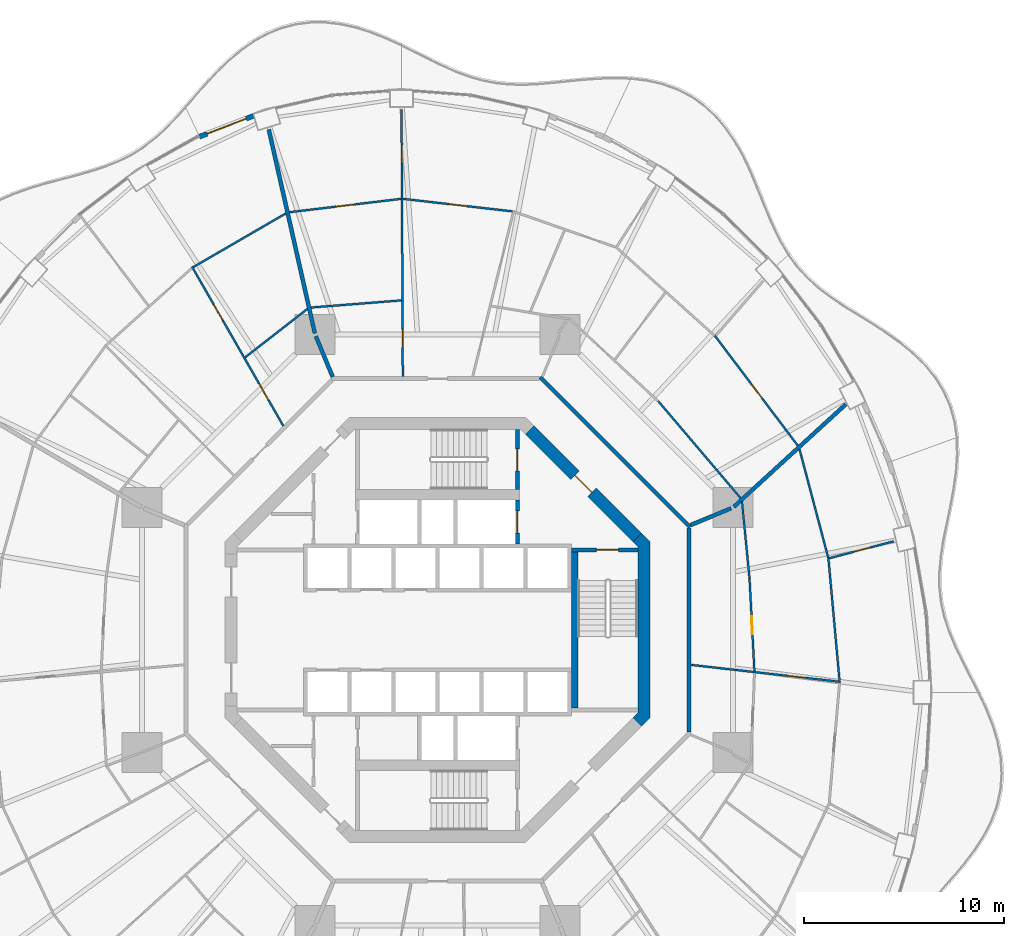
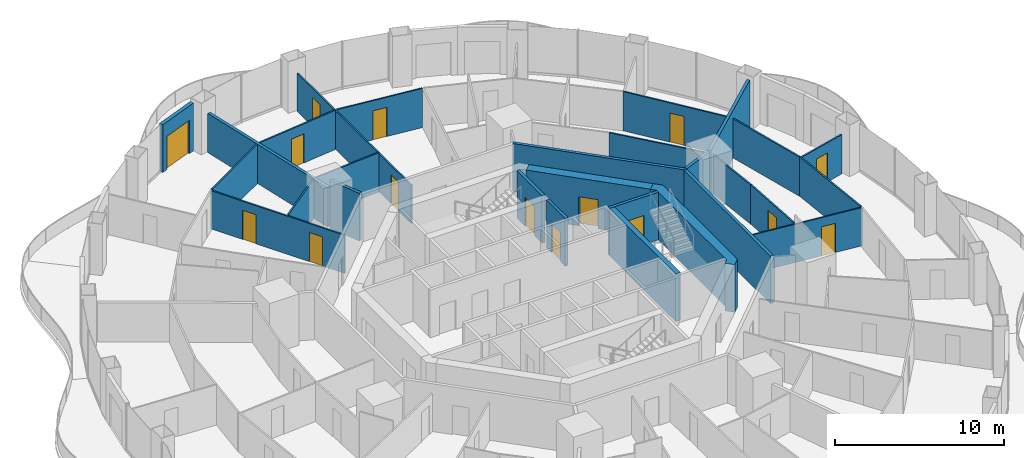
# One storey, part 16 of 20: 28 walls, 15 doors, 15 openings.
"""IFC4 building model written with IfcOpenShell, lengths in metres."""

from ifc_helpers import new_model, si_unit, direction, frame, frame_2d, origin, place, context, subcontext, project, spatial, polyline, rectangle, outline, extrude, material, layer, layer_set, type_object, element, fill, save


model = new_model("IFC4")

# Units and contexts
model_context = context("Model", 3, precision=1e-05, world=origin(), true_north=direction((0.0, 1.0)))
body_context = subcontext(model_context, "Body", "Model", "MODEL_VIEW")
ifc_project = project(units=[si_unit("LENGTHUNIT", "METRE"), si_unit("AREAUNIT", "SQUARE_METRE"), si_unit("VOLUMEUNIT", "CUBIC_METRE"), si_unit("PLANEANGLEUNIT", "RADIAN"), si_unit("MASSUNIT", "GRAM", prefix="KILO")], contexts=[model_context])

# Site, building, storey
site_placement = place(None, origin())
site = spatial("IfcSite", under=ifc_project, at=site_placement, CompositionType="ELEMENT")
building_placement = place(site_placement, origin())
building = spatial("IfcBuilding", under=site, at=building_placement, Name="Nagisa Residences", CompositionType="ELEMENT")
storey_placement = place(building_placement, frame((0.0, 0.0, 130.699951171875)))
storey = spatial("IfcBuildingStorey", under=building, at=storey_placement, Name="L32", CompositionType="ELEMENT", Elevation=130.699951171875)

# Walls
ifc_material_1 = material(Name="Gypsum board on steel studs", Category="steel")
ifc_layer_1 = layer(ifc_material_1, 0.199951171875)
ifc_layer_set_1 = layer_set([ifc_layer_1], Name="Apartment compartment wall EI60 200")
wall_type_1 = type_object("IfcWallType", Name="Apartment compartment wall EI60 200", PredefinedType="PARTITIONING", material=ifc_layer_set_1)
wall_1_placement = place(storey_placement, frame((12.6572265625, 5.24267578125, 0.0), z_axis=(0.0, 0.0, 1.0), x_axis=(0.923876145736, 0.382691608661, 0.0)))
element("IfcWall", 1, at=wall_1_placement, inside=storey, type_object=wall_type_1, Name="wall:L32:u00", PredefinedType="PARTITIONING", context=body_context, shape_type="SweptSolid", body=[
    extrude(rectangle(XDim=2.19970703125, YDim=0.199951171875, at=frame_2d((1.099853515625, 0.0))), origin(), (0.0, 0.0, 1.0), 3.43994140625),
])
wall_2_placement = place(storey_placement, frame((14.81884765625, 6.15673828125, 0.0), z_axis=(0.0, 0.0, 1.0), x_axis=(0.737608883396, 0.675228209671, 0.0)))
element("IfcWall", 2, at=wall_2_placement, inside=storey, type_object=wall_type_1, Name="wall:L32:u01", PredefinedType="PARTITIONING", context=body_context, shape_type="SweptSolid", body=[
    extrude(rectangle(XDim=7.596435546875, YDim=0.199951171875, at=frame_2d((3.79833984375, 0.0))), origin(), (0.0, 0.0, 1.0), 3.43994140625),
])
wall_3_placement = place(storey_placement, frame((-5.24267578125, 12.6572265625, 0.0), z_axis=(0.0, 0.0, 1.0), x_axis=(-0.38273085373, 0.923859888513, 0.0)))
element("IfcWall", 3, at=wall_3_placement, inside=storey, type_object=wall_type_1, Name="wall:L32:u02", PredefinedType="PARTITIONING", context=body_context, shape_type="SweptSolid", body=[
    extrude(rectangle(XDim=2.199462890625, YDim=0.199951171875, at=frame_2d((1.099609375, 0.0))), origin(), (0.0, 0.0, 1.0), 3.43994140625),
])
wall_4_placement = place(storey_placement, frame((-6.1337890625, 14.830810546875, 0.0), z_axis=(0.0, 0.0, 1.0), x_axis=(-0.220337590808, 0.975423675167, 0.0)))
element("IfcWall", 4, at=wall_4_placement, inside=storey, type_object=wall_type_1, Name="wall:L32:u03", PredefinedType="PARTITIONING", context=body_context, shape_type="SweptSolid", body=[
    extrude(rectangle(XDim=10.450927734375, YDim=0.199951171875, at=frame_2d((5.2255859375, 0.0))), origin(), (0.0, 0.0, 1.0), 2.828125),
])
ifc_material_2 = material(Name="Gypsum board on steel studs", Category="steel")
ifc_layer_2 = layer(ifc_material_2, 0.199951171875)
ifc_layer_set_2 = layer_set([ifc_layer_2], Name="Apartment entry wall EI60 200")
wall_type_2 = type_object("IfcWallType", Name="Apartment entry wall EI60 200", PredefinedType="PARTITIONING", material=ifc_layer_set_2)
wall_5_placement = place(storey_placement, frame((12.564697265625, -5.1044921875, 0.0), z_axis=(0.0, 0.0, 1.0), x_axis=(0.0, 1.0, 0.0)))
element("IfcWall", 5, at=wall_5_placement, inside=storey, type_object=wall_type_2, Name="wall:L32:u10", PredefinedType="PARTITIONING", context=body_context, shape_type="SweptSolid", body=[
    extrude(rectangle(XDim=10.208984375, YDim=0.199951171875, at=frame_2d((5.1044921875, 0.0))), origin(), (0.0, 0.0, 1.0), 3.43994140625),
])
wall_6_placement = place(storey_placement, frame((12.635498046875, 5.1337890625, 0.0), z_axis=(0.0, 0.0, 1.0), x_axis=(-0.707106781187, 0.707106781187, 0.0)))
element("IfcWall", 6, at=wall_6_placement, inside=storey, type_object=wall_type_2, Name="wall:L32:u11", PredefinedType="PARTITIONING", context=body_context, shape_type="SweptSolid", body=[
    extrude(rectangle(XDim=10.609130859375, YDim=0.199951171875, at=frame_2d((5.3046875, 0.0))), origin(), (0.0, 0.0, 1.0), 3.43994140625),
])

# Wall, opening, door
ifc_material_3 = material(Name="Gypsum board on steel studs", Category="steel")
ifc_layer_3 = layer(ifc_material_3, 0.10009765625)
ifc_layer_set_3 = layer_set([ifc_layer_3], Name="Apartment partition 100")
wall_type_3 = type_object("IfcWallType", Name="Apartment partition 100", PredefinedType="PARTITIONING", material=ifc_layer_set_3)
wall_7_placement = place(storey_placement, frame((12.6640625, -1.74609375, 0.0), z_axis=(0.0, 0.0, 1.0), x_axis=(0.993605172276, -0.112910414164, 0.0)))
wall_7 = element("IfcWall", 7, at=wall_7_placement, inside=storey, type_object=wall_type_3, Name="wall:L32:u18", PredefinedType="PARTITIONING", context=body_context, shape_type="SweptSolid", body=[
    extrude(rectangle(XDim=7.544189453125, YDim=0.10009765625, at=frame_2d((3.77197265625, 0.0))), origin(), (0.0, 0.0, 1.0), 2.756103515625),
])
opening_1_placement = place(wall_7_placement, frame((4.900634765625, 0.0, 0.0)))
opening_1 = element("IfcOpeningElement", 8, at=opening_1_placement, cuts=wall_7, Name="Opening L32-U41", PredefinedType="OPENING", context=body_context, shape_type="SweptSolid", body=[
    extrude(rectangle(XDim=0.89990234375, YDim=2.10009765625, at=frame_2d((0.449951171875, 1.050048828125))), frame((0.0, 0.06005859375, 0.0), z_axis=(0.0, -1.0, 0.0), x_axis=(1.0, 0.0, 0.0)), (0.0, 0.0, 1.0), 0.1201171875),
])
ifc_material_4 = material(Name="Timber door set", Category="wood")
door_type_1 = type_object("IfcDoorType", Name="Apartment door 900x2100", OperationType="NOTDEFINED", PredefinedType="DOOR", material=ifc_material_4)
door_1_placement = place(opening_1_placement, origin())
door_1 = element("IfcDoor", 9, at=door_1_placement, inside=storey, type_object=door_type_1, Name="Door to kitchen, Apartment 32D", OperationType="SINGLE_SWING_LEFT", OverallHeight=2.10009765625, OverallWidth=0.89990234375, PredefinedType="DOOR", context=body_context, shape_type="SweptSolid", body=[
    extrude(rectangle(XDim=0.89990234375, YDim=2.10009765625, at=frame_2d((0.449951171875, 1.050048828125))), frame((0.0, 0.02490234375, 0.0), z_axis=(0.0, -1.0, 0.0), x_axis=(1.0, 0.0, 0.0)), (0.0, 0.0, 1.0), 0.050048828125),
])
fill(opening_1, door_1)

wall_8_placement = place(storey_placement, frame((15.84814453125, -2.058349609375, 0.0), z_axis=(0.0, 0.0, 1.0), x_axis=(-0.052509224895, 0.998620439056, 0.0)))
wall_8 = element("IfcWall", 10, at=wall_8_placement, inside=storey, type_object=wall_type_3, Name="wall:L32:u19", PredefinedType="PARTITIONING", context=body_context, shape_type="SweptSolid", body=[
    extrude(rectangle(XDim=4.6494140625, YDim=0.10009765625, at=frame_2d((2.32470703125, 0.0))), origin(), (0.0, 0.0, 1.0), 2.828125),
])
opening_2_placement = place(wall_8_placement, frame((1.849609375, 0.0, 0.0)))
opening_2 = element("IfcOpeningElement", 11, at=opening_2_placement, cuts=wall_8, Name="Opening L32-U43", PredefinedType="OPENING", context=body_context, shape_type="SweptSolid", body=[
    extrude(rectangle(XDim=0.89990234375, YDim=2.10009765625, at=frame_2d((0.449951171875, 1.050048828125))), frame((0.0, 0.06005859375, 0.0), z_axis=(0.0, -1.0, 0.0), x_axis=(1.0, 0.0, 0.0)), (0.0, 0.0, 1.0), 0.1201171875),
])
door_2_placement = place(opening_2_placement, origin())
door_2 = element("IfcDoor", 12, at=door_2_placement, inside=storey, type_object=door_type_1, Name="Door to laundry, Apartment 32D", OperationType="SINGLE_SWING_LEFT", OverallHeight=2.10009765625, OverallWidth=0.89990234375, PredefinedType="DOOR", context=body_context, shape_type="SweptSolid", body=[
    extrude(rectangle(XDim=0.89990234375, YDim=2.10009765625, at=frame_2d((0.449951171875, 1.050048828125))), frame((0.0, 0.02490234375, 0.0), z_axis=(0.0, -1.0, 0.0), x_axis=(1.0, 0.0, 0.0)), (0.0, 0.0, 1.0), 0.050048828125),
])
fill(opening_2, door_2)

# Walls
wall_9_placement = place(storey_placement, frame((20.105712890625, -2.54248046875, 0.0), z_axis=(0.0, 0.0, 1.0), x_axis=(-0.090567755363, 0.995890296011, 0.0)))
element("IfcWall", 13, at=wall_9_placement, inside=storey, type_object=wall_type_3, Name="wall:L32:u21", PredefinedType="PARTITIONING", context=body_context, shape_type="SweptSolid", body=[
    extrude(rectangle(XDim=6.189208984375, YDim=0.10009765625, at=frame_2d((3.0947265625, 0.0))), origin(), (0.0, 0.0, 1.0), 2.828125),
])
wall_10_placement = place(storey_placement, frame((15.601806640625, 2.58447265625, 0.0), z_axis=(0.0, 0.0, 1.0), x_axis=(-0.097196343206, 0.995265226393, 0.0)))
element("IfcWall", 14, at=wall_10_placement, inside=storey, type_object=wall_type_3, Name="wall:L32:u23", PredefinedType="PARTITIONING", context=body_context, shape_type="SweptSolid", body=[
    extrude(rectangle(XDim=3.855712890625, YDim=0.10009765625, at=frame_2d((1.927734375, 0.0))), origin(), (0.0, 0.0, 1.0), 2.828125),
])

# Wall, opening, door
wall_11_placement = place(storey_placement, frame((19.59814453125, 3.584228515625, 0.0), z_axis=(0.0, 0.0, 1.0), x_axis=(0.967108750962, 0.254363251695, 0.0)))
wall_11 = element("IfcWall", 15, at=wall_11_placement, inside=storey, type_object=wall_type_3, Name="wall:L32:u24", PredefinedType="PARTITIONING", context=body_context, shape_type="SweptSolid", body=[
    extrude(rectangle(XDim=3.32666015625, YDim=0.10009765625, at=frame_2d((1.663330078125, 0.0))), origin(), (0.0, 0.0, 1.0), 2.828125),
])
opening_3_placement = place(wall_11_placement, frame((1.21337890625, 0.0, 0.0)))
opening_3 = element("IfcOpeningElement", 16, at=opening_3_placement, cuts=wall_11, Name="Opening L32-U39", PredefinedType="OPENING", context=body_context, shape_type="SweptSolid", body=[
    extrude(rectangle(XDim=0.89990234375, YDim=2.10009765625, at=frame_2d((0.449951171875, 1.050048828125))), frame((0.0, 0.06005859375, 0.0), z_axis=(0.0, -1.0, 0.0), x_axis=(1.0, 0.0, 0.0)), (0.0, 0.0, 1.0), 0.1201171875),
])
door_3_placement = place(opening_3_placement, origin())
door_3 = element("IfcDoor", 17, at=door_3_placement, inside=storey, type_object=door_type_1, Name="Door to master bedroom, Apartment 32D", OperationType="SINGLE_SWING_LEFT", OverallHeight=2.10009765625, OverallWidth=0.89990234375, PredefinedType="DOOR", context=body_context, shape_type="SweptSolid", body=[
    extrude(rectangle(XDim=0.89990234375, YDim=2.10009765625, at=frame_2d((0.449951171875, 1.050048828125))), frame((0.0, 0.02490234375, 0.0), z_axis=(0.0, -1.0, 0.0), x_axis=(1.0, 0.0, 0.0)), (0.0, 0.0, 1.0), 0.050048828125),
])
fill(opening_3, door_3)

# Walls
wall_12_placement = place(storey_placement, frame((19.536865234375, 3.619873046875, 0.0), z_axis=(0.0, 0.0, 1.0), x_axis=(-0.255909310473, 0.966700793841, 0.0)))
element("IfcWall", 18, at=wall_12_placement, inside=storey, type_object=wall_type_3, Name="wall:L32:u25", PredefinedType="PARTITIONING", context=body_context, shape_type="SweptSolid", body=[
    extrude(rectangle(XDim=5.608642578125, YDim=0.10009765625, at=frame_2d((2.80419921875, 0.0))), origin(), (0.0, 0.0, 1.0), 2.828125),
])
wall_13_placement = place(storey_placement, frame((15.152587890625, 6.597412109375, 0.0), z_axis=(0.0, 0.0, 1.0), x_axis=(-0.647372160855, 0.762174051874, 0.0)))
element("IfcWall", 19, at=wall_13_placement, inside=storey, type_object=wall_type_3, Name="wall:L32:u26", PredefinedType="PARTITIONING", context=body_context, shape_type="SweptSolid", body=[
    extrude(rectangle(XDim=6.36279296875, YDim=0.10009765625, at=frame_2d((3.181396484375, 0.0))), origin(), (0.0, 0.0, 1.0), 2.828125),
])

# Wall, opening, door
wall_14_placement = place(storey_placement, frame((18.015869140625, 9.21826171875, 0.0), z_axis=(0.0, 0.0, 1.0), x_axis=(-0.602411163107, 0.798185937338, 0.0)))
wall_14 = element("IfcWall", 20, at=wall_14_placement, inside=storey, type_object=wall_type_3, Name="wall:L32:u27", PredefinedType="PARTITIONING", context=body_context, shape_type="SweptSolid", body=[
    extrude(rectangle(XDim=6.893798828125, YDim=0.10009765625, at=frame_2d((3.44677734375, 0.0))), origin(), (0.0, 0.0, 1.0), 2.828125),
])
opening_4_placement = place(wall_14_placement, frame((2.971923828125, 0.0, 0.0)))
opening_4 = element("IfcOpeningElement", 21, at=opening_4_placement, cuts=wall_14, Name="Opening L32-U55", PredefinedType="OPENING", context=body_context, shape_type="SweptSolid", body=[
    extrude(rectangle(XDim=0.89990234375, YDim=2.10009765625, at=frame_2d((0.449951171875, 1.050048828125))), frame((0.0, 0.06005859375, 0.0), z_axis=(0.0, -1.0, 0.0), x_axis=(1.0, 0.0, 0.0)), (0.0, 0.0, 1.0), 0.1201171875),
])
door_4_placement = place(opening_4_placement, frame((0.89990234375, 0.0, 0.0), x_axis=(-1.0, 0.0, 0.0)))
door_4 = element("IfcDoor", 22, at=door_4_placement, inside=storey, type_object=door_type_1, Name="Door to study, Apartment 32E", OperationType="SINGLE_SWING_RIGHT", OverallHeight=2.10009765625, OverallWidth=0.89990234375, PredefinedType="DOOR", context=body_context, shape_type="SweptSolid", body=[
    extrude(rectangle(XDim=0.89990234375, YDim=2.10009765625, at=frame_2d((0.449951171875, 1.050048828125))), frame((0.0, 0.02490234375, 0.0), z_axis=(0.0, -1.0, 0.0), x_axis=(1.0, 0.0, 0.0)), (0.0, 0.0, 1.0), 0.050048828125),
])
fill(opening_4, door_4)

wall_15_placement = place(storey_placement, frame((3.75146484375, 20.930419921875, 0.0), z_axis=(0.0, 0.0, 1.0), x_axis=(-0.993522105273, 0.113639017658, 0.0)))
wall_15 = element("IfcWall", 23, at=wall_15_placement, inside=storey, type_object=wall_type_3, Name="wall:L32:u38", PredefinedType="PARTITIONING", context=body_context, shape_type="SweptSolid", body=[
    extrude(rectangle(XDim=5.5126953125, YDim=0.10009765625, at=frame_2d((2.75634765625, 0.0))), origin(), (0.0, 0.0, 1.0), 2.828125),
])
opening_5_placement = place(wall_15_placement, frame((2.306396484375, 0.0, 0.0)))
opening_5 = element("IfcOpeningElement", 24, at=opening_5_placement, cuts=wall_15, Name="Opening L32-U48", PredefinedType="OPENING", context=body_context, shape_type="SweptSolid", body=[
    extrude(rectangle(XDim=0.89990234375, YDim=2.10009765625, at=frame_2d((0.449951171875, 1.050048828125))), frame((0.0, 0.06005859375, 0.0), z_axis=(0.0, -1.0, 0.0), x_axis=(1.0, 0.0, 0.0)), (0.0, 0.0, 1.0), 0.1201171875),
])
door_5_placement = place(opening_5_placement, frame((0.89990234375, 0.0, 0.0), x_axis=(-1.0, 0.0, 0.0)))
door_5 = element("IfcDoor", 25, at=door_5_placement, inside=storey, type_object=door_type_1, Name="Door to living room, Apartment 32E", OperationType="SINGLE_SWING_LEFT", OverallHeight=2.10009765625, OverallWidth=0.89990234375, PredefinedType="DOOR", context=body_context, shape_type="SweptSolid", body=[
    extrude(rectangle(XDim=0.89990234375, YDim=2.10009765625, at=frame_2d((0.449951171875, 1.050048828125))), frame((0.0, 0.02490234375, 0.0), z_axis=(0.0, -1.0, 0.0), x_axis=(1.0, 0.0, 0.0)), (0.0, 0.0, 1.0), 0.050048828125),
])
fill(opening_5, door_5)

# Wall, openings, doors
wall_16_placement = place(storey_placement, frame((-1.7353515625, 12.664794921875, 0.0), z_axis=(0.0, 0.0, 1.0), x_axis=(-0.004494500855, 0.99998989968, 0.0)))
wall_16 = element("IfcWall", 26, at=wall_16_placement, inside=storey, type_object=wall_type_3, Name="wall:L32:u39", PredefinedType="PARTITIONING", context=body_context, shape_type="SweptSolid", body=[
    extrude(rectangle(XDim=13.36279296875, YDim=0.10009765625, at=frame_2d((6.681396484375, 0.0))), origin(), (0.0, 0.0, 1.0), 2.756103515625),
])
opening_6_placement = place(wall_16_placement, frame((1.459228515625, 0.0, 0.0)))
opening_6 = element("IfcOpeningElement", 27, at=opening_6_placement, cuts=wall_16, Name="Opening L32-U46", PredefinedType="OPENING", context=body_context, shape_type="SweptSolid", body=[
    extrude(rectangle(XDim=0.89990234375, YDim=2.10009765625, at=frame_2d((0.449951171875, 1.050048828125))), frame((0.0, 0.06005859375, 0.0), z_axis=(0.0, -1.0, 0.0), x_axis=(1.0, 0.0, 0.0)), (0.0, 0.0, 1.0), 0.1201171875),
])
opening_7_placement = place(wall_16_placement, frame((10.680419921875, 0.0, 0.0)))
opening_7 = element("IfcOpeningElement", 28, at=opening_7_placement, cuts=wall_16, Name="Opening L32-U49", PredefinedType="OPENING", context=body_context, shape_type="SweptSolid", body=[
    extrude(rectangle(XDim=0.89990234375, YDim=2.10009765625, at=frame_2d((0.449951171875, 1.050048828125))), frame((0.0, 0.06005859375, 0.0), z_axis=(0.0, -1.0, 0.0), x_axis=(1.0, 0.0, 0.0)), (0.0, 0.0, 1.0), 0.1201171875),
])
door_6_placement = place(opening_6_placement, origin())
door_6 = element("IfcDoor", 29, at=door_6_placement, inside=storey, type_object=door_type_1, Name="Door to store, Apartment 32E", OperationType="SINGLE_SWING_RIGHT", OverallHeight=2.10009765625, OverallWidth=0.89990234375, PredefinedType="DOOR", context=body_context, shape_type="SweptSolid", body=[
    extrude(rectangle(XDim=0.89990234375, YDim=2.10009765625, at=frame_2d((0.449951171875, 1.050048828125))), frame((0.0, 0.02490234375, 0.0), z_axis=(0.0, -1.0, 0.0), x_axis=(1.0, 0.0, 0.0)), (0.0, 0.0, 1.0), 0.050048828125),
])
fill(opening_6, door_6)
door_7_placement = place(opening_7_placement, origin())
door_7 = element("IfcDoor", 30, at=door_7_placement, inside=storey, type_object=door_type_1, Name="Door to bedroom, Apartment 32E", OperationType="SINGLE_SWING_LEFT", OverallHeight=2.10009765625, OverallWidth=0.89990234375, PredefinedType="DOOR", context=body_context, shape_type="SweptSolid", body=[
    extrude(rectangle(XDim=0.89990234375, YDim=2.10009765625, at=frame_2d((0.449951171875, 1.050048828125))), frame((0.0, 0.02490234375, 0.0), z_axis=(0.0, -1.0, 0.0), x_axis=(1.0, 0.0, 0.0)), (0.0, 0.0, 1.0), 0.050048828125),
])
fill(opening_7, door_7)

# Wall
wall_17_placement = place(storey_placement, frame((-1.80224609375, 16.479248046875, 0.0), z_axis=(0.0, 0.0, 1.0), x_axis=(-0.996907698294, -0.078581429625, 0.0)))
element("IfcWall", 31, at=wall_17_placement, inside=storey, type_object=wall_type_3, Name="wall:L32:u40", PredefinedType="PARTITIONING", context=body_context, shape_type="SweptSolid", body=[
    extrude(rectangle(XDim=4.535888671875, YDim=0.10009765625, at=frame_2d((2.26806640625, 0.0))), origin(), (0.0, 0.0, 1.0), 2.828125),
])

# Wall, opening, door
wall_18_placement = place(storey_placement, frame((-1.824951171875, 21.556640625, 0.0), z_axis=(0.0, 0.0, 1.0), x_axis=(-0.992915053711, -0.11882632753, 0.0)))
wall_18 = element("IfcWall", 32, at=wall_18_placement, inside=storey, type_object=wall_type_3, Name="wall:L32:u41", PredefinedType="PARTITIONING", context=body_context, shape_type="SweptSolid", body=[
    extrude(rectangle(XDim=5.615234375, YDim=0.10009765625, at=frame_2d((2.8076171875, 0.0))), origin(), (0.0, 0.0, 1.0), 2.828125),
])
opening_8_placement = place(wall_18_placement, frame((2.357666015625, 0.0, 0.0)))
opening_8 = element("IfcOpeningElement", 33, at=opening_8_placement, cuts=wall_18, Name="Opening L32-U51", PredefinedType="OPENING", context=body_context, shape_type="SweptSolid", body=[
    extrude(rectangle(XDim=0.89990234375, YDim=2.10009765625, at=frame_2d((0.449951171875, 1.050048828125))), frame((0.0, 0.06005859375, 0.0), z_axis=(0.0, -1.0, 0.0), x_axis=(1.0, 0.0, 0.0)), (0.0, 0.0, 1.0), 0.1201171875),
])
door_8_placement = place(opening_8_placement, origin())
door_8 = element("IfcDoor", 34, at=door_8_placement, inside=storey, type_object=door_type_1, Name="Door to en-suite bathroom, Apartment 32E", OperationType="SINGLE_SWING_LEFT", OverallHeight=2.10009765625, OverallWidth=0.89990234375, PredefinedType="DOOR", context=body_context, shape_type="SweptSolid", body=[
    extrude(rectangle(XDim=0.89990234375, YDim=2.10009765625, at=frame_2d((0.449951171875, 1.050048828125))), frame((0.0, 0.02490234375, 0.0), z_axis=(0.0, -1.0, 0.0), x_axis=(1.0, 0.0, 0.0)), (0.0, 0.0, 1.0), 0.050048828125),
])
fill(opening_8, door_8)

# Walls
wall_19_placement = place(storey_placement, frame((-6.5029296875, 16.0537109375, 0.0), z_axis=(0.0, 0.0, 1.0), x_axis=(-0.789428807693, -0.613842127574, 0.0)))
element("IfcWall", 35, at=wall_19_placement, inside=storey, type_object=wall_type_3, Name="wall:L32:u42", PredefinedType="PARTITIONING", context=body_context, shape_type="SweptSolid", body=[
    extrude(rectangle(XDim=3.947509765625, YDim=0.10009765625, at=frame_2d((1.9736328125, 0.0))), origin(), (0.0, 0.0, 1.0), 2.828125),
])
wall_20_placement = place(storey_placement, frame((-7.586181640625, 20.827392578125, 0.0), z_axis=(0.0, 0.0, 1.0), x_axis=(-0.865093450578, -0.501610727325, 0.0)))
element("IfcWall", 36, at=wall_20_placement, inside=storey, type_object=wall_type_3, Name="wall:L32:u43", PredefinedType="PARTITIONING", context=body_context, shape_type="SweptSolid", body=[
    extrude(rectangle(XDim=5.343017578125, YDim=0.10009765625, at=frame_2d((2.67138671875, 0.0))), origin(), (0.0, 0.0, 1.0), 2.828125),
])

# Wall, openings, doors
wall_21_placement = place(storey_placement, frame((-7.707763671875, 10.197998046875, 0.0), z_axis=(0.0, 0.0, 1.0), x_axis=(-0.497449462689, 0.867492957937, 0.0)))
wall_21 = element("IfcWall", 37, at=wall_21_placement, inside=storey, type_object=wall_type_3, Name="wall:L32:u44", PredefinedType="PARTITIONING", context=body_context, shape_type="SweptSolid", body=[
    extrude(rectangle(XDim=9.1845703125, YDim=0.10009765625, at=frame_2d((4.59228515625, 0.0))), origin(), (0.0, 0.0, 1.0), 2.756103515625),
])
opening_9_placement = place(wall_21_placement, frame((1.5107421875, 0.0, 0.0)))
opening_9 = element("IfcOpeningElement", 38, at=opening_9_placement, cuts=wall_21, Name="Opening L32-U02", PredefinedType="OPENING", context=body_context, shape_type="SweptSolid", body=[
    extrude(rectangle(XDim=0.89990234375, YDim=2.10009765625, at=frame_2d((0.449951171875, 1.050048828125))), frame((0.0, 0.06005859375, 0.0), z_axis=(0.0, -1.0, 0.0), x_axis=(1.0, 0.0, 0.0)), (0.0, 0.0, 1.0), 0.1201171875),
])
opening_10_placement = place(wall_21_placement, frame((6.077880859375, 0.0, 0.0)))
opening_10 = element("IfcOpeningElement", 39, at=opening_10_placement, cuts=wall_21, Name="Opening L32-U04", PredefinedType="OPENING", context=body_context, shape_type="SweptSolid", body=[
    extrude(rectangle(XDim=0.89990234375, YDim=2.10009765625, at=frame_2d((0.449951171875, 1.050048828125))), frame((0.0, 0.06005859375, 0.0), z_axis=(0.0, -1.0, 0.0), x_axis=(1.0, 0.0, 0.0)), (0.0, 0.0, 1.0), 0.1201171875),
])
door_9_placement = place(opening_9_placement, frame((0.89990234375, 0.0, 0.0), x_axis=(-1.0, 0.0, 0.0)))
door_9 = element("IfcDoor", 40, at=door_9_placement, inside=storey, type_object=door_type_1, Name="Door to family bathroom, Apartment 32A", OperationType="SINGLE_SWING_LEFT", OverallHeight=2.10009765625, OverallWidth=0.89990234375, PredefinedType="DOOR", context=body_context, shape_type="SweptSolid", body=[
    extrude(rectangle(XDim=0.89990234375, YDim=2.10009765625, at=frame_2d((0.449951171875, 1.050048828125))), frame((0.0, 0.02490234375, 0.0), z_axis=(0.0, -1.0, 0.0), x_axis=(1.0, 0.0, 0.0)), (0.0, 0.0, 1.0), 0.050048828125),
])
fill(opening_9, door_9)
door_10_placement = place(opening_10_placement, frame((0.89990234375, 0.0, 0.0), x_axis=(-1.0, 0.0, 0.0)))
door_10 = element("IfcDoor", 41, at=door_10_placement, inside=storey, type_object=door_type_1, Name="Door to kitchen, Apartment 32A", OperationType="SINGLE_SWING_LEFT", OverallHeight=2.10009765625, OverallWidth=0.89990234375, PredefinedType="DOOR", context=body_context, shape_type="SweptSolid", body=[
    extrude(rectangle(XDim=0.89990234375, YDim=2.10009765625, at=frame_2d((0.449951171875, 1.050048828125))), frame((0.0, 0.02490234375, 0.0), z_axis=(0.0, -1.0, 0.0), x_axis=(1.0, 0.0, 0.0)), (0.0, 0.0, 1.0), 0.050048828125),
])
fill(opening_10, door_10)

# Wall, opening, door
ifc_material_5 = material(Name="Precast concrete C40/50", Category="concrete")
ifc_layer_4 = layer(ifc_material_5, 0.25)
ifc_layer_set_4 = layer_set([ifc_layer_4], Name="BALCONY DOOR WALL 250")
wall_type_4 = type_object("IfcWallType", Name="BALCONY DOOR WALL 250", PredefinedType="SOLIDWALL", material=ifc_layer_set_4)
wall_22_placement = place(storey_placement, frame((-11.909423828125, 24.662353515625, 0.0), z_axis=(0.0, 0.0, 1.0), x_axis=(0.932845344347, 0.360277064952, 0.0)))
wall_22 = element("IfcWall", 42, at=wall_22_placement, inside=storey, type_object=wall_type_4, Name="wall:L32:bay14", PredefinedType="SOLIDWALL", context=body_context, shape_type="SweptSolid", body=[
    extrude(rectangle(XDim=2.92333984375, YDim=0.25, at=frame_2d((1.461669921875, 0.0))), origin(), (0.0, 0.0, 1.0), 3.43994140625),
])
opening_11_placement = place(wall_22_placement, frame((0.41162109375, 0.0, 0.0)))
opening_11 = element("IfcOpeningElement", 43, at=opening_11_placement, cuts=wall_22, Name="Opening BD-L32-05", PredefinedType="OPENING", context=body_context, shape_type="SweptSolid", body=[
    extrude(rectangle(XDim=2.10009765625, YDim=2.39990234375, at=frame_2d((1.050048828125, 1.199951171875))), frame((0.0, 0.135009765625, 0.0), z_axis=(0.0, -1.0, 0.0), x_axis=(1.0, 0.0, 0.0)), (0.0, 0.0, 1.0), 0.27001953125),
])
ifc_material_6 = material(Name="Aluminium and clear glass", Category="aluminium")
door_type_2 = type_object("IfcDoorType", Name="BALCONY SLIDING DOOR 2100x2400", OperationType="SLIDING_TO_LEFT", PredefinedType="DOOR", material=ifc_material_6)
door_11_placement = place(opening_11_placement, origin())
door_11 = element("IfcDoor", 44, at=door_11_placement, inside=storey, type_object=door_type_2, Name="door:L32:bay14", OperationType="SLIDING_TO_LEFT", OverallHeight=2.39990234375, OverallWidth=2.10009765625, PredefinedType="DOOR", context=body_context, shape_type="SweptSolid", body=[
    extrude(rectangle(XDim=2.10009765625, YDim=2.39990234375, at=frame_2d((1.050048828125, 1.199951171875))), frame((0.0, 0.02490234375, 0.0), z_axis=(0.0, -1.0, 0.0), x_axis=(1.0, 0.0, 0.0)), (0.0, 0.0, 1.0), 0.050048828125),
])
fill(opening_11, door_11)

ifc_material_7 = material(Name="Concrete C60", Category="concrete")
ifc_layer_5 = layer(ifc_material_7, 0.60009765625)
ifc_layer_set_5 = layer_set([ifc_layer_5], Name="Core shear wall 600")
wall_type_5 = type_object("IfcWallType", Name="Core shear wall 600", PredefinedType="SHEAR", material=ifc_layer_set_5)
wall_23_placement = place(storey_placement, frame((9.98828125, 4.613037109375, 0.0), z_axis=(0.0, 0.0, 1.0), x_axis=(-0.707106781187, 0.707106781187, 0.0)))
wall_23 = element("IfcWall", 45, at=wall_23_placement, inside=storey, type_object=wall_type_5, Name="wall:L32:core:flat1", PredefinedType="SHEAR", context=body_context, shape_type="SweptSolid", body=[
    extrude(rectangle(XDim=7.601806640625, YDim=0.60009765625, at=frame_2d((3.80078125, 0.0))), origin(), (0.0, 0.0, 1.0), 3.43994140625),
])
opening_12_placement = place(wall_23_placement, frame((3.200927734375, 0.0, 0.0)))
opening_12 = element("IfcOpeningElement", 46, at=opening_12_placement, cuts=wall_23, Name="Opening L32-C17", PredefinedType="OPENING", context=body_context, shape_type="SweptSolid", body=[
    extrude(rectangle(XDim=1.199951171875, YDim=2.10009765625, at=frame_2d((0.60009765625, 1.050048828125))), frame((0.0, 0.31005859375, 0.0), z_axis=(0.0, -1.0, 0.0), x_axis=(1.0, 0.0, 0.0)), (0.0, 0.0, 1.0), 0.6201171875),
])
ifc_material_8 = material(Name="Steel fire door", Category="steel")
door_type_3 = type_object("IfcDoorType", Name="Fire door EI60 1200x2100 single swing", OperationType="NOTDEFINED", PredefinedType="DOOR", material=ifc_material_8)
door_12_placement = place(opening_12_placement, origin())
door_12 = element("IfcDoor", 47, at=door_12_placement, inside=storey, type_object=door_type_3, Name="Firefighting lobby 1 door L32", OperationType="SINGLE_SWING_LEFT", OverallHeight=2.10009765625, OverallWidth=1.199951171875, PredefinedType="DOOR", context=body_context, shape_type="SweptSolid", body=[
    extrude(rectangle(XDim=1.199951171875, YDim=2.10009765625, at=frame_2d((0.60009765625, 1.050048828125))), frame((0.0, 0.02490234375, 0.0), z_axis=(0.0, -1.0, 0.0), x_axis=(1.0, 0.0, 0.0)), (0.0, 0.0, 1.0), 0.050048828125),
])
fill(opening_12, door_12)

# Wall
wall_24_placement = place(storey_placement, origin())
element("IfcWall", 48, at=wall_24_placement, inside=storey, type_object=wall_type_5, Name="wall:L32:core:flat0", PredefinedType="SHEAR", context=body_context, shape_type="SweptSolid", body=[
    extrude(outline(polyline([(9.776123046875, -4.40087890625), (10.024658203125, -4.15234375), (10.024658203125, -3.801025390625), (10.024658203125, 4.15234375), (9.776123046875, 4.40087890625), (10.200439453125, 4.8251953125), (10.62451171875, 4.40087890625), (10.62451171875, -4.40087890625), (10.200439453125, -4.8251953125), (9.776123046875, -4.40087890625)])), origin(), (0.0, 0.0, 1.0), 3.43994140625),
])

# Wall, opening, door
ifc_material_9 = material(Name="Concrete C60", Category="concrete")
ifc_layer_6 = layer(ifc_material_9, 0.199951171875)
ifc_layer_set_6 = layer_set([ifc_layer_6], Name="Lift shaft wall 200")
wall_type_6 = type_object("IfcWallType", Name="Lift shaft wall 200", PredefinedType="SOLIDWALL", material=ifc_layer_set_6)
wall_25_placement = place(storey_placement, frame((4.0, 4.300048828125, 0.0), z_axis=(0.0, 0.0, 1.0), x_axis=(0.0, 1.0, 0.0)))
wall_25 = element("IfcWall", 49, at=wall_25_placement, inside=storey, type_object=wall_type_6, Name="wall:L32:Nb3", PredefinedType="SOLIDWALL", context=body_context, shape_type="SweptSolid", body=[
    extrude(rectangle(XDim=2.199951171875, YDim=0.199951171875, at=frame_2d((1.10009765625, 0.0))), origin(), (0.0, 0.0, 1.0), 3.43994140625),
])
opening_13_placement = place(wall_25_placement, frame((0.550048828125, 0.0, 0.0)))
opening_13 = element("IfcOpeningElement", 50, at=opening_13_placement, cuts=wall_25, Name="Opening L32-C06", PredefinedType="OPENING", context=body_context, shape_type="SweptSolid", body=[
    extrude(rectangle(XDim=1.10009765625, YDim=2.10009765625, at=frame_2d((0.550048828125, 1.050048828125))), frame((0.0, 0.10986328125, 0.0), z_axis=(0.0, -1.0, 0.0), x_axis=(1.0, 0.0, 0.0)), (0.0, 0.0, 1.0), 0.219970703125),
])
ifc_material_10 = material(Name="Stainless steel", Category="steel")
door_type_4 = type_object("IfcDoorType", Name="Lift landing door 1100x2100", OperationType="DOUBLE_DOOR_SLIDING", PredefinedType="DOOR", material=ifc_material_10)
door_13_placement = place(opening_13_placement, origin())
door_13 = element("IfcDoor", 51, at=door_13_placement, inside=storey, type_object=door_type_4, Name="Landing door FL1 L32", OperationType="DOUBLE_DOOR_SLIDING", OverallHeight=2.10009765625, OverallWidth=1.10009765625, PredefinedType="DOOR", context=body_context, shape_type="SweptSolid", body=[
    extrude(rectangle(XDim=1.10009765625, YDim=2.10009765625, at=frame_2d((0.550048828125, 1.050048828125))), frame((0.0, 0.02490234375, 0.0), z_axis=(0.0, -1.0, 0.0), x_axis=(1.0, 0.0, 0.0)), (0.0, 0.0, 1.0), 0.050048828125),
])
fill(opening_13, door_13)

ifc_material_11 = material(Name="Concrete C60", Category="concrete")
ifc_layer_7 = layer(ifc_material_11, 0.199951171875)
ifc_layer_set_7 = layer_set([ifc_layer_7], Name="Stair enclosure wall 200")
wall_type_7 = type_object("IfcWallType", Name="Stair enclosure wall 200", PredefinedType="SOLIDWALL", material=ifc_layer_set_7)
wall_26_placement = place(storey_placement, frame((6.699951171875, 4.0, 0.0), z_axis=(0.0, 0.0, 1.0), x_axis=(1.0, 0.0, 0.0)))
wall_26 = element("IfcWall", 52, at=wall_26_placement, inside=storey, type_object=wall_type_7, Name="wall:L32:SE_n", PredefinedType="SOLIDWALL", context=body_context, shape_type="SweptSolid", body=[
    extrude(rectangle(XDim=3.32470703125, YDim=0.199951171875, at=frame_2d((1.662353515625, 0.0))), origin(), (0.0, 0.0, 1.0), 3.43994140625),
])
opening_14_placement = place(wall_26_placement, frame((1.25, 0.0, 0.0)))
opening_14 = element("IfcOpeningElement", 53, at=opening_14_placement, cuts=wall_26, Name="Opening L32-C09", PredefinedType="OPENING", context=body_context, shape_type="SweptSolid", body=[
    extrude(rectangle(XDim=1.10009765625, YDim=2.10009765625, at=frame_2d((0.550048828125, 1.050048828125))), frame((0.0, 0.10986328125, 0.0), z_axis=(0.0, -1.0, 0.0), x_axis=(1.0, 0.0, 0.0)), (0.0, 0.0, 1.0), 0.219970703125),
])
ifc_material_12 = material(Name="Steel fire door", Category="steel")
door_type_5 = type_object("IfcDoorType", Name="Fire door EI90 1100x2100 single swing", OperationType="NOTDEFINED", PredefinedType="DOOR", material=ifc_material_12)
door_14_placement = place(opening_14_placement, frame((1.10009765625, 0.0, 0.0), x_axis=(-1.0, 0.0, 0.0)))
door_14 = element("IfcDoor", 54, at=door_14_placement, inside=storey, type_object=door_type_5, Name="Stair door ST-E L32", OperationType="SINGLE_SWING_RIGHT", OverallHeight=2.10009765625, OverallWidth=1.10009765625, PredefinedType="DOOR", context=body_context, shape_type="SweptSolid", body=[
    extrude(rectangle(XDim=1.10009765625, YDim=2.10009765625, at=frame_2d((0.550048828125, 1.050048828125))), frame((0.0, 0.02490234375, 0.0), z_axis=(0.0, -1.0, 0.0), x_axis=(1.0, 0.0, 0.0)), (0.0, 0.0, 1.0), 0.050048828125),
])
fill(opening_14, door_14)

wall_27_placement = place(storey_placement, frame((4.0, 7.024658203125, 0.0), z_axis=(0.0, 0.0, 1.0), x_axis=(0.0, 1.0, 0.0)))
wall_27 = element("IfcWall", 55, at=wall_27_placement, inside=storey, type_object=wall_type_7, Name="wall:L32:SN_e", PredefinedType="SOLIDWALL", context=body_context, shape_type="SweptSolid", body=[
    extrude(rectangle(XDim=3.0, YDim=0.199951171875, at=frame_2d((1.5, 0.0))), origin(), (0.0, 0.0, 1.0), 3.43994140625),
])
opening_15_placement = place(wall_27_placement, frame((0.92529296875, 0.0, 0.0)))
opening_15 = element("IfcOpeningElement", 56, at=opening_15_placement, cuts=wall_27, Name="Opening L32-C10", PredefinedType="OPENING", context=body_context, shape_type="SweptSolid", body=[
    extrude(rectangle(XDim=1.10009765625, YDim=2.10009765625, at=frame_2d((0.550048828125, 1.050048828125))), frame((0.0, 0.10986328125, 0.0), z_axis=(0.0, -1.0, 0.0), x_axis=(1.0, 0.0, 0.0)), (0.0, 0.0, 1.0), 0.219970703125),
])
door_15_placement = place(opening_15_placement, origin())
door_15 = element("IfcDoor", 57, at=door_15_placement, inside=storey, type_object=door_type_5, Name="Stair door ST-N L32", OperationType="SINGLE_SWING_LEFT", OverallHeight=2.10009765625, OverallWidth=1.10009765625, PredefinedType="DOOR", context=body_context, shape_type="SweptSolid", body=[
    extrude(rectangle(XDim=1.10009765625, YDim=2.10009765625, at=frame_2d((0.550048828125, 1.050048828125))), frame((0.0, 0.02490234375, 0.0), z_axis=(0.0, -1.0, 0.0), x_axis=(1.0, 0.0, 0.0)), (0.0, 0.0, 1.0), 0.050048828125),
])
fill(opening_15, door_15)

# Wall
wall_28_placement = place(storey_placement, origin())
element("IfcWall", 58, at=wall_28_placement, inside=storey, type_object=wall_type_7, Name="wall:L32:SE_w", PredefinedType="SOLIDWALL", context=body_context, shape_type="SweptSolid", body=[
    extrude(outline(polyline([(7.024658203125, -3.89990234375), (6.699951171875, -3.89990234375), (6.699951171875, 3.89990234375), (7.024658203125, 3.89990234375), (7.024658203125, -3.89990234375)])), origin(), (0.0, 0.0, 1.0), 3.43994140625),
])

save(model, "model.ifc")
